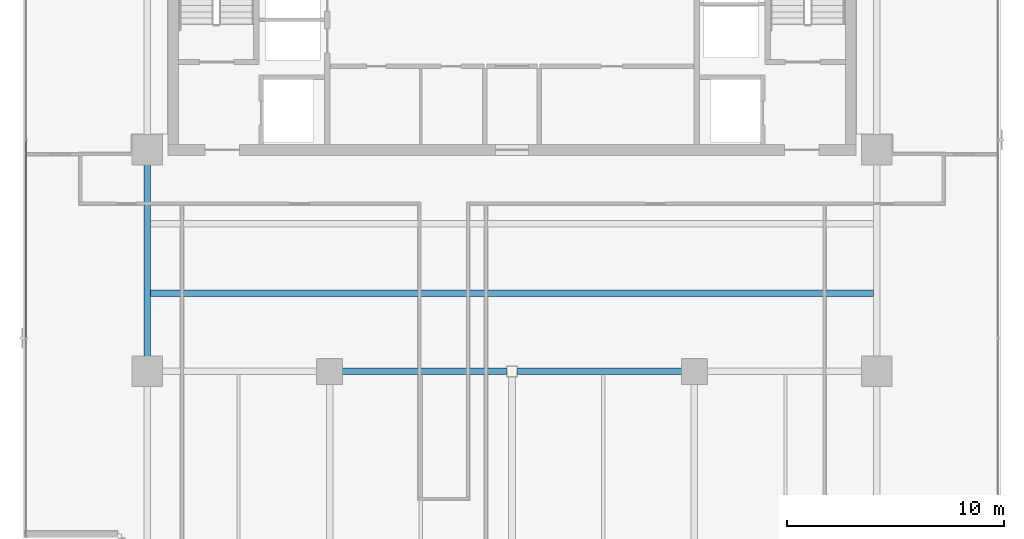
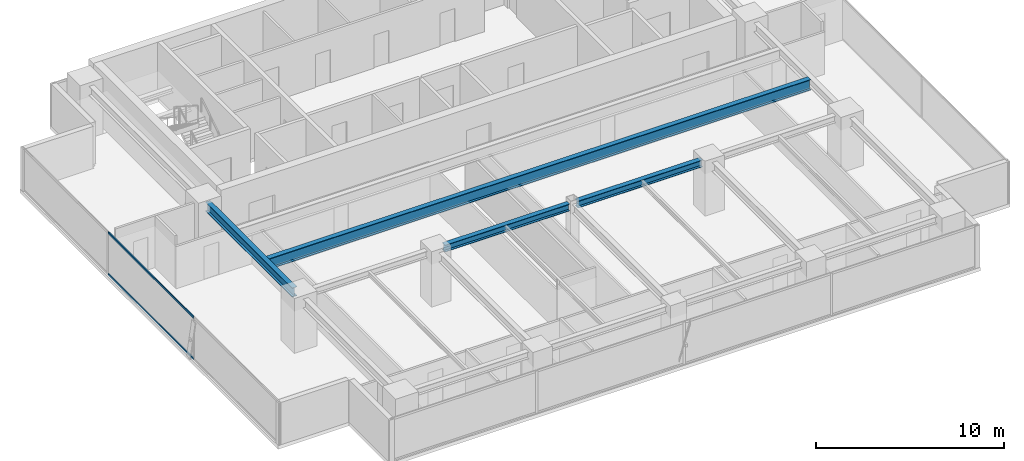
# One storey, part 8 of 25: 4 beams, 2 members, 1 element without a shape of its own.
"""IFC4 building model written with IfcOpenShell, lengths in metres."""

import ifcopenshell
import ifcopenshell.guid

model = None  # the IFC model being written
_history = None  # IfcOwnerHistory: only IFC2X3 demands one
_inside = {}  # id of a spatial element -> (the spatial element, [elements in it])
_under = {}  # id of a project, library or spatial element -> (it, [spatial elements below it])
_declared = {}  # id of a project -> (the project, [libraries it declares])
_typed = {}  # id of a type object -> (the type object, [elements of that type])
_made_of = {}  # id of a material, layer set ... -> (it, [elements and type objects made of it])


def new_model(schema):
    """Start an empty IFC model of exactly this schema.

    Asked for "IFC4X3", IfcOpenShell would pick the latest addendum, in which some entities
    have other attributes; the version numbers below select the first issue.
    IFC2X3 requires an IfcOwnerHistory on every rooted entity: one is made here for all.
    """
    global model, _history
    if schema == "IFC4X3":
        model = ifcopenshell.file(schema_version=(4, 3, 0, 0))
    else:
        model = ifcopenshell.file(schema=schema)
    _inside.clear()
    _under.clear()
    _declared.clear()
    _typed.clear()
    _made_of.clear()
    _history = None
    if model.schema == "IFC2X3":
        org = make("IfcOrganization", Name="unknown")
        user = make(
            "IfcPersonAndOrganization",
            ThePerson=make("IfcPerson", FamilyName="unknown"),
            TheOrganization=org,
        )
        app = make(
            "IfcApplication",
            ApplicationDeveloper=org,
            Version="unknown",
            ApplicationFullName="unknown",
            ApplicationIdentifier="unknown",
        )
        _history = make(
            "IfcOwnerHistory",
            OwningUser=user,
            OwningApplication=app,
            ChangeAction="ADDED",
            CreationDate=0,
        )
    return model


def make(cls, **values):
    """One entity of the class cls with the attributes given. An attribute that is None is left unset."""
    return model.create_entity(
        cls, **{name: value for name, value in values.items() if value is not None}
    )


def rooted(cls, **values):
    """An entity with a GlobalId (a new one), such as an element, a storey or a relation."""
    return make(cls, GlobalId=ifcopenshell.guid.new(), OwnerHistory=_history, **values)


def si_unit(unit_type, name, prefix=None):
    """IfcSIUnit, for example si_unit("LENGTHUNIT", "METRE", prefix="MILLI")."""
    return make("IfcSIUnit", UnitType=unit_type, Prefix=prefix, Name=name)


def assignment(units):
    """IfcUnitAssignment: the units of a project."""
    return None if units is None else make("IfcUnitAssignment", Units=units)


def point(xyz):
    """IfcCartesianPoint."""
    return None if xyz is None else make("IfcCartesianPoint", Coordinates=xyz)


def direction(xyz):
    """IfcDirection."""
    return None if xyz is None else make("IfcDirection", DirectionRatios=xyz)


def frame(location, z_axis=None, x_axis=None):
    """IfcAxis2Placement3D, a coordinate frame: its origin and axes. An axis left out is left unset."""
    return make(
        "IfcAxis2Placement3D",
        Location=point(location),
        Axis=direction(z_axis),
        RefDirection=direction(x_axis),
    )


def frame_2d(location, x_axis=None):
    """IfcAxis2Placement2D, a coordinate frame in the plane: its origin and x axis."""
    return make(
        "IfcAxis2Placement2D", Location=point(location), RefDirection=direction(x_axis)
    )


def origin():
    """The frame at (0, 0, 0) with its axes left unset."""
    return frame((0.0, 0.0, 0.0))


def origin_2d():
    """The frame at (0, 0) in the plane with its x axis left unset."""
    return frame_2d((0.0, 0.0))


def place(relative_to, where):
    """IfcLocalPlacement: puts the frame where relative to a parent placement (None: the world)."""
    return make(
        "IfcLocalPlacement", PlacementRelTo=relative_to, RelativePlacement=where
    )


def context(
    kind, dimensions, precision=None, world=None, true_north=None, identifier=None
):
    """IfcGeometricRepresentationContext, for example the 3D "Model" context."""
    return make(
        "IfcGeometricRepresentationContext",
        ContextIdentifier=identifier,
        ContextType=kind,
        CoordinateSpaceDimension=dimensions,
        Precision=precision,
        WorldCoordinateSystem=world,
        TrueNorth=true_north,
    )


def subcontext(parent, identifier, kind, view, scale=None):
    """IfcGeometricRepresentationSubContext, for example "Body" below "Model"."""
    return make(
        "IfcGeometricRepresentationSubContext",
        ContextIdentifier=identifier,
        ContextType=kind,
        ParentContext=parent,
        TargetScale=scale,
        TargetView=view,
    )


def project(units=None, contexts=None):
    """IfcProject with its units and contexts."""
    return rooted(
        "IfcProject",
        Name="project",
        RepresentationContexts=contexts,
        UnitsInContext=assignment(units),
    )


def spatial(cls, under=None, at=None, **own):
    """A site, building, storey or space (cls), placed at a placement, below another one or the project."""
    s = rooted(cls, ObjectPlacement=at, **own)
    if under is not None:
        _under.setdefault(under.id(), (under, []))[1].append(s)
    return s


def profile(cls, at=None, kind="AREA", **sizes):
    """A parametric profile (cls). Its sizes go by their IFC names, for example OverallWidth=200.0."""
    return make(cls, ProfileType=kind, Position=at, **sizes)


def hollow_rectangle(**sizes):
    """IfcRectangleHollowProfileDef."""
    return profile("IfcRectangleHollowProfileDef", **sizes)


def i_section(**sizes):
    """IfcIShapeProfileDef."""
    return profile("IfcIShapeProfileDef", **sizes)


def extrude(swept, where, along, depth):
    """IfcExtrudedAreaSolid: the profile swept, set in the frame where, extruded along a direction by depth."""
    return make(
        "IfcExtrudedAreaSolid",
        SweptArea=swept,
        Position=where,
        ExtrudedDirection=direction(along),
        Depth=depth,
    )


def shape(context_of_items, identifier, shape_type, items):
    """IfcShapeRepresentation: the items that make up one representation, for example the "Body"."""
    return make(
        "IfcShapeRepresentation",
        ContextOfItems=context_of_items,
        RepresentationIdentifier=identifier,
        RepresentationType=shape_type,
        Items=items,
    )


def source(mapping_origin, context_of_items, identifier, shape_type, items):
    """IfcRepresentationMap: a shape defined once, which mapped items show again and again."""
    return make(
        "IfcRepresentationMap",
        MappingOrigin=mapping_origin,
        MappedRepresentation=shape(context_of_items, identifier, shape_type, items),
    )


def transform(
    local_origin,
    x_axis=None,
    y_axis=None,
    z_axis=None,
    scale=None,
    scale2=None,
    scale3=None,
    uniform=True,
):
    """IfcCartesianTransformationOperator3D, or its non-uniform kind. x_axis, y_axis, z_axis: its Axis1, 2, 3."""
    if uniform:
        return make(
            "IfcCartesianTransformationOperator3D",
            Axis1=direction(x_axis),
            Axis2=direction(y_axis),
            LocalOrigin=point(local_origin),
            Scale=scale,
            Axis3=direction(z_axis),
        )
    return make(
        "IfcCartesianTransformationOperator3DnonUniform",
        Axis1=direction(x_axis),
        Axis2=direction(y_axis),
        LocalOrigin=point(local_origin),
        Scale=scale,
        Axis3=direction(z_axis),
        Scale2=scale2,
        Scale3=scale3,
    )


def mapped(mapping_source, mapping_target):
    """IfcMappedItem: shows the shape of a source again, moved by a transform."""
    return make(
        "IfcMappedItem", MappingSource=mapping_source, MappingTarget=mapping_target
    )


def material(Name=None, Category=None):
    """IfcMaterial."""
    return make("IfcMaterial", Name=Name, Category=Category)


def layer(
    of_material, thickness, ventilated=None, Name=None, Category=None, Priority=None
):
    """IfcMaterialLayer: one layer of a wall or slab, of a material (None: an air gap)."""
    return make(
        "IfcMaterialLayer",
        Material=of_material,
        LayerThickness=thickness,
        IsVentilated=ventilated,
        Name=Name,
        Category=Category,
        Priority=Priority,
    )


def layer_set(layers, Name=None):
    """IfcMaterialLayerSet."""
    return make("IfcMaterialLayerSet", MaterialLayers=layers, LayerSetName=Name)


def material_profile(
    of_material, cross_section, Name=None, Category=None, Priority=None
):
    """IfcMaterialProfile: a cross section and its material."""
    return make(
        "IfcMaterialProfile",
        Name=Name,
        Material=of_material,
        Profile=cross_section,
        Priority=Priority,
        Category=Category,
    )


def profile_set(profiles, Name=None, composite=None):
    """IfcMaterialProfileSet."""
    return make(
        "IfcMaterialProfileSet",
        Name=Name,
        MaterialProfiles=profiles,
        CompositeProfile=composite,
    )


def made_of(thing, what):
    """Note that an element or type object is made of a material, layer set ...; save() writes the relation."""
    if what is not None:
        _made_of.setdefault(what.id(), (what, []))[1].append(thing)
    return thing


def type_object(cls, material=None, **own):
    """A type object (cls), such as IfcWallType, which elements share."""
    return made_of(rooted(cls, **own), material)


def element(
    cls,
    number,
    at=None,
    inside=None,
    cuts=None,
    type_object=None,
    material=None,
    context=None,
    identifier="Body",
    shape_type=None,
    held_by="IfcProductDefinitionShape",
    body=None,
    shapes=None,
    **own,
):
    """One element of the class cls, such as IfcWall. Its Tag is "e" and its number.

    at: its placement. inside: the storey or other place that contains it. cuts: it is an
    opening in that element (IfcRelVoidsElement). A single representation is given by context,
    identifier, shape_type and body (its items); several are given by shapes. held_by: the class
    of the entity that holds the representations. save() writes the other relations.
    """
    e = rooted(cls, Tag="e%d" % number, ObjectPlacement=at, **own)
    if body is not None:
        shapes = [shape(context, identifier, shape_type, body)]
    if shapes is not None:
        e.Representation = make(held_by, Representations=shapes)
    if inside is not None:
        _inside.setdefault(inside.id(), (inside, []))[1].append(e)
    if cuts is not None:
        rooted(
            "IfcRelVoidsElement", RelatingBuildingElement=cuts, RelatedOpeningElement=e
        )
    if type_object is not None:
        _typed.setdefault(type_object.id(), (type_object, []))[1].append(e)
    return made_of(e, material)


def aggregate(whole, parts):
    """IfcRelAggregates: a whole, such as a stair, and the parts it consists of."""
    return rooted("IfcRelAggregates", RelatingObject=whole, RelatedObjects=parts)


def save(model, path):
    """Write the relations noted so far, then the file.

    IfcRelAggregates (storeys below a building ...), IfcRelContainedInSpatialStructure (elements
    in a storey), IfcRelDefinesByType, IfcRelAssociatesMaterial and IfcRelDeclares: one each for
    every whole, place, type object, material and project.
    """
    for whole, parts in _under.values():
        aggregate(whole, parts)
    for where, things in _inside.values():
        rooted(
            "IfcRelContainedInSpatialStructure",
            RelatedElements=things,
            RelatingStructure=where,
        )
    for kind, things in _typed.values():
        rooted("IfcRelDefinesByType", RelatedObjects=things, RelatingType=kind)
    for what, things in _made_of.values():
        rooted("IfcRelAssociatesMaterial", RelatedObjects=things, RelatingMaterial=what)
    for by, libraries in _declared.values():
        rooted("IfcRelDeclares", RelatingContext=by, RelatedDefinitions=libraries)
    model.write(path)


model = new_model("IFC4")

# Units and contexts
model_context = context("Model", 3, precision=1e-05, world=origin(), true_north=direction((0.0, 1.0)))
body_context = subcontext(model_context, "Body", "Model", "MODEL_VIEW")
ifc_project = project(units=[si_unit("LENGTHUNIT", "METRE"), si_unit("AREAUNIT", "SQUARE_METRE"), si_unit("VOLUMEUNIT", "CUBIC_METRE"), si_unit("PLANEANGLEUNIT", "RADIAN"), si_unit("MASSUNIT", "GRAM", prefix="KILO")], contexts=[model_context])

# Site, building, storey
site_placement = place(None, origin())
site = spatial("IfcSite", under=ifc_project, at=site_placement, CompositionType="ELEMENT")
building_placement = place(site_placement, origin())
building = spatial("IfcBuilding", under=site, at=building_placement, Name="Sumidabori Civic Tower", CompositionType="ELEMENT")
storey_placement = place(building_placement, frame((0.0, 0.0, 239.60009765625)))
storey = spatial("IfcBuildingStorey", under=building, at=storey_placement, Name="L62", CompositionType="ELEMENT", Elevation=239.60009765625)

# Beams
ifc_material_1 = material(Name="Steel SN490", Category="steel")
ifc_material_profile_1 = material_profile(ifc_material_1, i_section(OverallWidth=0.300048828125, OverallDepth=0.60009765625, WebThickness=0.015380859375, FlangeThickness=0.030029296875, at=origin_2d()), Name="HE 600 B")
ifc_profile_set_1 = profile_set([ifc_material_profile_1], Name="Steel SN490")
beam_type_1 = type_object("IfcBeamType", Name="BM-GIRD-600", PredefinedType="BEAM", material=ifc_profile_set_1)
shared_shape_1 = source(origin(), body_context, "Body", "SweptSolid", [
    extrude(i_section(OverallWidth=0.300048828125, OverallDepth=0.60009765625, WebThickness=0.015380859375, FlangeThickness=0.030029296875, at=origin_2d()), origin(), (0.0, 0.0, 1.0), 9.239990234375),
])
beam_1_placement = place(storey_placement, frame((-16.800048828125, 0.47998046875, 3.06982421875), z_axis=(0.0, 1.0, 0.0), x_axis=(-1.0, 0.0, 0.0)))
element("IfcBeam", 1, at=beam_1_placement, inside=storey, type_object=beam_type_1, Name="Primary Girder L62 GY-10", PredefinedType="BEAM", context=body_context, shape_type="MappedRepresentation", body=[
    mapped(shared_shape_1, transform((0.0, 0.0, 0.0), x_axis=(1.0, 0.0, 0.0), y_axis=(0.0, 1.0, 0.0), z_axis=(0.0, 0.0, 1.0), scale=1.0)),
])
ifc_material_profile_2 = material_profile(ifc_material_1, i_section(OverallWidth=0.300048828125, OverallDepth=0.699951171875, WebThickness=0.01708984375, FlangeThickness=0.031982421875, at=origin_2d()), Name="HE 700 B")
ifc_profile_set_2 = profile_set([ifc_material_profile_2], Name="Steel SN490")
beam_type_2 = type_object("IfcBeamType", Name="BM-GIRD-700", PredefinedType="BEAM", material=ifc_profile_set_2)
shared_shape_2 = source(origin(), body_context, "Body", "SweptSolid", [
    extrude(i_section(OverallWidth=0.300048828125, OverallDepth=0.699951171875, WebThickness=0.01708984375, FlangeThickness=0.031982421875, at=origin_2d()), origin(), (0.0, 0.0, 1.0), 33.2998046875),
])
beam_2_placement = place(storey_placement, frame((-16.64990234375, 3.60009765625, 3.02001953125), z_axis=(1.0, 0.0, 0.0), x_axis=(0.0, 1.0, 0.0)))
element("IfcBeam", 2, at=beam_2_placement, inside=storey, type_object=beam_type_2, Name="North Bay Floor Beam L62 JSTN-18", PredefinedType="BEAM", context=body_context, shape_type="MappedRepresentation", body=[
    mapped(shared_shape_2, transform((0.0, 0.0, 0.0), x_axis=(1.0, 0.0, 0.0), y_axis=(0.0, 1.0, 0.0), z_axis=(0.0, 0.0, 1.0), scale=1.0)),
])
ifc_material_profile_3 = material_profile(ifc_material_1, i_section(OverallWidth=0.300048828125, OverallDepth=0.449951171875, WebThickness=0.013916015625, FlangeThickness=0.02587890625, at=origin_2d()), Name="HE 450 B")
ifc_profile_set_3 = profile_set([ifc_material_profile_3], Name="Steel SN490")
beam_type_3 = type_object("IfcBeamType", Name="BM-GIRD-450", PredefinedType="BEAM", material=ifc_profile_set_3)
shared_shape_3 = source(origin(), body_context, "Body", "SweptSolid", [
    extrude(i_section(OverallWidth=0.300048828125, OverallDepth=0.449951171875, WebThickness=0.013916015625, FlangeThickness=0.02587890625, at=origin_2d()), origin(), (0.0, 0.0, 1.0), 7.669921875),
])
for number, where, z_axis, x_axis, name in (
    (3, (-7.919921875, 0.0, 3.14501953125), (1.0, 0.0, 0.0), (0.0, 1.0, 0.0), "Primary Girder L62 GX-06"),
    (4, (0.25, 0.0, 3.14501953125), (1.0, 0.0, 0.0), (0.0, 1.0, 0.0), "Primary Girder L62 GX-07"),
):
    element("IfcBeam", number, at=place(storey_placement, frame(where, z_axis=z_axis, x_axis=x_axis)), inside=storey, type_object=beam_type_3, Name=name, PredefinedType="BEAM", context=body_context, shape_type="MappedRepresentation", body=[
        mapped(shared_shape_3, transform((0.0, 0.0, 0.0), x_axis=(1.0, 0.0, 0.0), y_axis=(0.0, 1.0, 0.0), z_axis=(0.0, 0.0, 1.0), scale=1.0)),
    ])

# Curtain wall, members
ifc_material_2 = material(Name="Anodised Bronze Aluminium AW-6063-T6", Category="aluminium")
ifc_layer = layer(ifc_material_2, 0.179931640625, Name="Anodised Bronze Aluminium AW-6063-T6")
ifc_layer_set = layer_set([ifc_layer], Name="Anodised Bronze Aluminium AW-6063-T6")
curtain_wall_type = type_object("IfcCurtainWallType", Name="CW-SYS-5", PredefinedType="NOTDEFINED", material=ifc_layer_set)
curtain_wall_placement = place(storey_placement, origin())
curtain_wall = element("IfcCurtainWall", 5, at=curtain_wall_placement, inside=storey, type_object=curtain_wall_type, Name="Curtain Wall CW:L62:R10", PredefinedType="NOTDEFINED")
ifc_material_profile_4 = material_profile(ifc_material_2, hollow_rectangle(XDim=0.06005859375, YDim=0.1298828125, WallThickness=0.0048828125, at=origin_2d()), Name="ALU TRANSOM 130x60")
ifc_profile_set_4 = profile_set([ifc_material_profile_4], Name="Anodised Bronze Aluminium AW-6063-T6")
member_type = type_object("IfcMemberType", Name="CW-TRN-130", PredefinedType="USERDEFINED", material=ifc_profile_set_4)
shared_shape_4 = source(origin(), body_context, "Body", "SweptSolid", [
    extrude(hollow_rectangle(XDim=0.06005859375, YDim=0.1298828125, WallThickness=0.0048828125, at=origin_2d()), origin(), (0.0, 0.0, 1.0), 9.086669921875),
])
member_1_placement = place(storey_placement, frame((-22.3798828125, 10.643310546875, 0.02978515625), z_axis=(0.0, -1.0, 0.0), x_axis=(1.0, 0.0, 0.0)))
member_1 = element("IfcMember", 6, at=member_1_placement, type_object=member_type, Name="CW-5 transom 2.1", ObjectType="TRANSOM", PredefinedType="USERDEFINED", context=body_context, shape_type="MappedRepresentation", body=[
    mapped(shared_shape_4, transform((0.0, 0.0, 0.0), x_axis=(1.0, 0.0, 0.0), y_axis=(0.0, 1.0, 0.0), z_axis=(0.0, 0.0, 1.0), scale=1.0)),
])
member_2_placement = place(storey_placement, frame((-22.3798828125, 10.643310546875, 2.719970703125), z_axis=(0.0, -1.0, 0.0), x_axis=(1.0, 0.0, 0.0)))
member_2 = element("IfcMember", 7, at=member_2_placement, type_object=member_type, Name="CW-5 transom 2.2", ObjectType="TRANSOM", PredefinedType="USERDEFINED", context=body_context, shape_type="MappedRepresentation", body=[
    mapped(shared_shape_4, transform((0.0, 0.0, 0.0), x_axis=(1.0, 0.0, 0.0), y_axis=(0.0, 1.0, 0.0), z_axis=(0.0, 0.0, 1.0), scale=1.0)),
])
aggregate(curtain_wall, [member_1, member_2])

save(model, "model.ifc")
